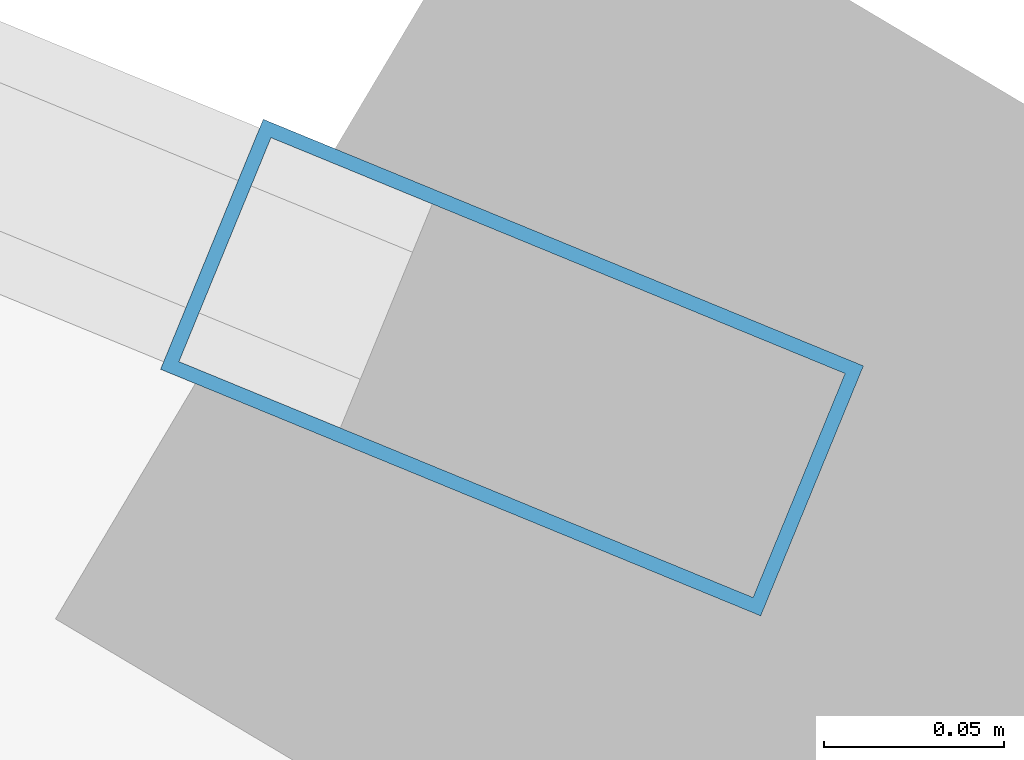
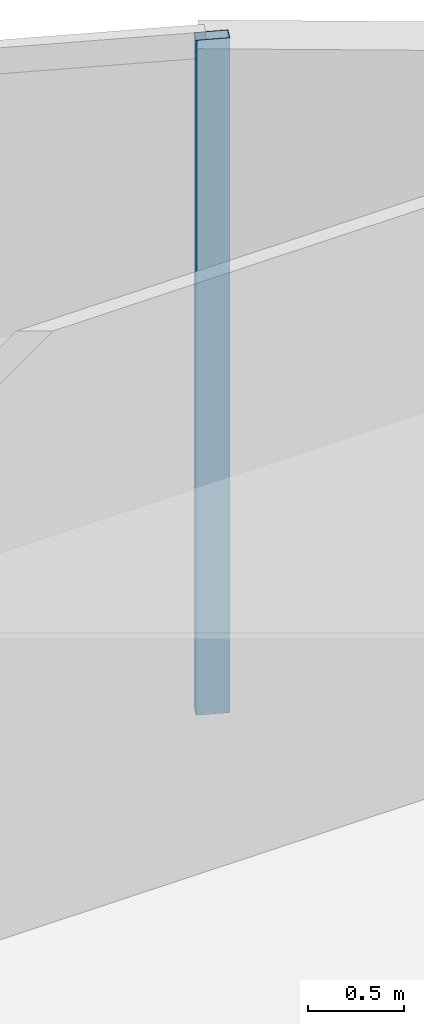
# One storey, part 12 of 17: 1 member, 1 element without a shape of its own.
"""IFC4 building model written with IfcOpenShell, lengths in metres."""

from ifc_helpers import new_model, si_unit, direction, frame, origin, origin_2d, place, context, subcontext, project, spatial, hollow_rectangle, extrude, material, layer, layer_set, material_profile, profile_set, type_object, element, aggregate, save


model = new_model("IFC4")

# Units and contexts
model_context = context("Model", 3, precision=1e-05, world=origin(), true_north=direction((0.0, 1.0)))
body_context = subcontext(model_context, "Body", "Model", "MODEL_VIEW")
ifc_project = project(units=[si_unit("LENGTHUNIT", "METRE"), si_unit("AREAUNIT", "SQUARE_METRE"), si_unit("VOLUMEUNIT", "CUBIC_METRE"), si_unit("PLANEANGLEUNIT", "RADIAN"), si_unit("MASSUNIT", "GRAM", prefix="KILO")], contexts=[model_context])

# Site, building, storey
site_placement = place(None, origin())
site = spatial("IfcSite", under=ifc_project, at=site_placement, CompositionType="ELEMENT")
building_placement = place(site_placement, origin())
building = spatial("IfcBuilding", under=site, at=building_placement, Name="Menara Vayukalpa", CompositionType="ELEMENT")
storey_placement = place(building_placement, frame((0.0, 0.0, 242.639892578125)))
storey = spatial("IfcBuildingStorey", under=building, at=storey_placement, Name="L61", CompositionType="ELEMENT", Elevation=242.639892578125)

# Curtain wall, member
ifc_material_1 = material(Name="Anodised Terracotta Aluminium Alloy 6063-T6", Category="masonry")
ifc_layer = layer(ifc_material_1, 0.179931640625)
ifc_layer_set = layer_set([ifc_layer], Name="Anodised Terracotta Aluminium Alloy 6063-T6")
curtain_wall_type = type_object("IfcCurtainWallType", Name="CW-CW4", PredefinedType="USERDEFINED", material=ifc_layer_set)
curtain_wall_placement = place(storey_placement, origin())
curtain_wall = element("IfcCurtainWall", 1, at=curtain_wall_placement, inside=storey, type_object=curtain_wall_type, Name="L61 Sky Bar Cantilever Glazed Curtain Wall CW4 04", ObjectType="UNITISED", PredefinedType="USERDEFINED")
ifc_material_2 = material(Name="Anodised Terracotta Aluminium Alloy 6063-T6", Category="masonry")
ifc_material_profile = material_profile(ifc_material_2, hollow_rectangle(XDim=0.074951171875, YDim=0.179931640625, WallThickness=0.00390625, at=origin_2d()), Name="ALU 75x180x4")
ifc_profile_set = profile_set([ifc_material_profile], Name="Anodised Terracotta Aluminium Alloy 6063-T6")
member_type = type_object("IfcMemberType", Name="CWM-CW4", PredefinedType="MULLION", material=ifc_profile_set)
member_placement = place(storey_placement, frame((45.625732421875, 28.717529296875, 0.0), z_axis=(0.0, 0.0, 1.0), x_axis=(-0.380039448491, -0.924970279301, 0.0)))
member = element("IfcMember", 2, at=member_placement, type_object=member_type, Name="CW4 mullion 1", PredefinedType="MULLION", context=body_context, shape_type="SweptSolid", body=[
    extrude(hollow_rectangle(XDim=0.074951171875, YDim=0.179931640625, WallThickness=0.00390625, at=origin_2d()), origin(), (0.0, 0.0, 1.0), 4.280029296875),
])
aggregate(curtain_wall, [member])

save(model, "model.ifc")
